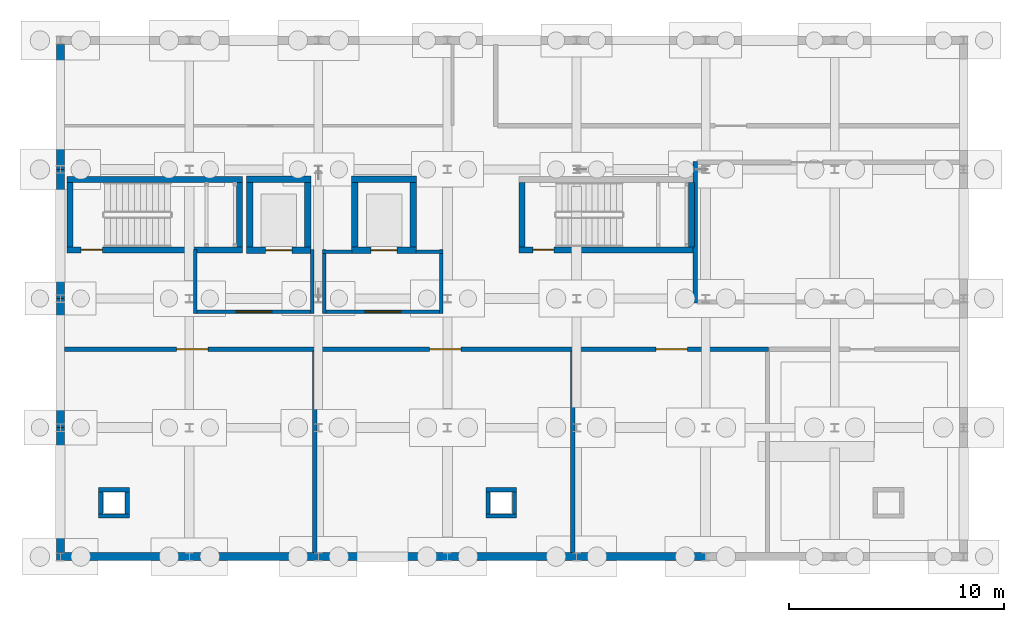
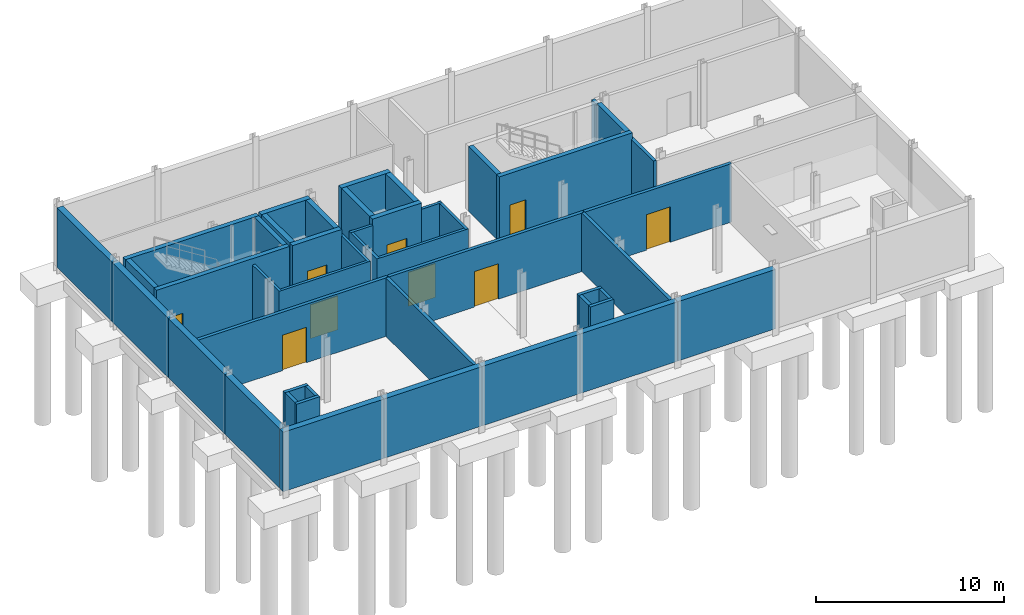
# One storey, part 9 of 12: 46 walls, 9 doors, 9 openings.
"""IFC4 building model written with IfcOpenShell, lengths in metres."""

from ifc_helpers import new_model, si_unit, direction, frame, frame_2d, origin, place, context, subcontext, project, spatial, rectangle, extrude, material, layer, layer_set, type_object, element, fill, save


model = new_model("IFC4")

# Units and contexts
model_context = context("Model", 3, precision=1e-05, world=origin(), true_north=direction((0.0, 1.0)))
body_context = subcontext(model_context, "Body", "Model", "MODEL_VIEW")
ifc_project = project(units=[si_unit("LENGTHUNIT", "METRE"), si_unit("AREAUNIT", "SQUARE_METRE"), si_unit("VOLUMEUNIT", "CUBIC_METRE"), si_unit("PLANEANGLEUNIT", "RADIAN"), si_unit("MASSUNIT", "GRAM", prefix="KILO")], contexts=[model_context])

# Site, building, storey
site_placement = place(None, origin())
site = spatial("IfcSite", under=ifc_project, at=site_placement, CompositionType="ELEMENT")
building_placement = place(site_placement, origin())
building = spatial("IfcBuilding", under=site, at=building_placement, Name="Siltcreek Boulevard Central Fire Station", CompositionType="ELEMENT")
storey_placement = place(building_placement, frame((0.0, 0.0, -4.199951171875)))
storey = spatial("IfcBuildingStorey", under=building, at=storey_placement, Name="B01", CompositionType="ELEMENT", Elevation=-4.199951171875)

# Wall, opening, door
ifc_material_1 = material(Name="Concrete C40/50", Category="concrete")
ifc_layer_1 = layer(ifc_material_1, 0.280029296875, Name="Concrete C40/50")
ifc_layer_set_1 = layer_set([ifc_layer_1], Name="Concrete C40/50")
wall_type_1 = type_object("IfcWallType", Name="CW_SHEAR280", PredefinedType="SHEAR", material=ifc_layer_set_1)
wall_1_placement = place(storey_placement, frame((124.52001953125, 102.4599609375, 0.0), z_axis=(0.0, 0.0, 1.0), x_axis=(1.0, 0.0, 0.0)))
wall_1 = element("IfcWall", 1, at=wall_1_placement, inside=storey, type_object=wall_type_1, Name="B01 ST-V5A stair enclosure south shear wall", PredefinedType="SHEAR", context=body_context, shape_type="SweptSolid", body=[
    extrude(rectangle(XDim=8.159912109375, YDim=0.280029296875, at=frame_2d((4.080078125, 0.0))), origin(), (0.0, 0.0, 1.0), 4.199951171875),
])
opening_1_placement = place(wall_1_placement, frame((0.64990234375, 0.0, 0.0)))
opening_1 = element("IfcOpeningElement", 2, at=opening_1_placement, cuts=wall_1, Name="Opening SD-032", PredefinedType="OPENING", context=body_context, shape_type="SweptSolid", body=[
    extrude(rectangle(XDim=0.97998046875, YDim=2.14990234375, at=frame_2d((0.489990234375, 1.074951171875))), frame((0.0, 0.14990234375, 0.0), z_axis=(0.0, -1.0, 0.0), x_axis=(1.0, 0.0, 0.0)), (0.0, 0.0, 1.0), 0.300048828125),
])
ifc_material_2 = material(Name="Hollow metal 90-min enclosed stair door")
door_type_1 = type_object("IfcDoorType", Name="DR_ST_098X215", OperationType="NOTDEFINED", PredefinedType="DOOR", material=ifc_material_2)
door_1_placement = place(opening_1_placement, origin())
door_1 = element("IfcDoor", 3, at=door_1_placement, inside=storey, type_object=door_type_1, Name="B01 ST-V5A enclosed exit stair door SD-032", OperationType="SINGLE_SWING_LEFT", OverallHeight=2.14990234375, OverallWidth=0.97998046875, PredefinedType="DOOR", context=body_context, shape_type="SweptSolid", body=[
    extrude(rectangle(XDim=0.97998046875, YDim=2.14990234375, at=frame_2d((0.489990234375, 1.074951171875))), frame((0.0, 0.02490234375, 0.0), z_axis=(0.0, -1.0, 0.0), x_axis=(1.0, 0.0, 0.0)), (0.0, 0.0, 1.0), 0.050048828125),
])
fill(opening_1, door_1)

# Walls
wall_2_placement = place(storey_placement, frame((132.679931640625, 105.739990234375, 0.0), z_axis=(0.0, 0.0, 1.0), x_axis=(-1.0, 0.0, 0.0)))
element("IfcWall", 4, at=wall_2_placement, inside=storey, type_object=wall_type_1, Name="B01 ST-V5A stair enclosure north shear wall", PredefinedType="SHEAR", context=body_context, shape_type="SweptSolid", body=[
    extrude(rectangle(XDim=8.159912109375, YDim=0.280029296875, at=frame_2d((4.080078125, 0.0))), origin(), (0.0, 0.0, 1.0), 4.199951171875),
])
for number, where, z_axis, x_axis, name in (
    (5, (124.659912109375, 105.60009765625, 0.0), (0.0, 0.0, 1.0), (0.0, -1.0, 0.0), "B01 ST-V5A stair enclosure west shear wall"),
    (6, (132.5400390625, 102.60009765625, 0.0), (0.0, 0.0, 1.0), (0.0, 1.0, 0.0), "B01 ST-V5A stair enclosure east shear wall"),
):
    element("IfcWall", number, at=place(storey_placement, frame(where, z_axis=z_axis, x_axis=x_axis)), inside=storey, type_object=wall_type_1, Name=name, PredefinedType="SHEAR", context=body_context, shape_type="SweptSolid", body=[
        extrude(rectangle(XDim=3.0, YDim=0.280029296875, at=frame_2d((1.5, 0.0))), origin(), (0.0, 0.0, 1.0), 4.199951171875),
    ])

# Wall, opening, door
wall_3_placement = place(storey_placement, frame((145.52001953125, 102.4599609375, 0.0), z_axis=(0.0, 0.0, 1.0), x_axis=(1.0, 0.0, 0.0)))
wall_3 = element("IfcWall", 7, at=wall_3_placement, inside=storey, type_object=wall_type_1, Name="B01 ST-V5B stair enclosure south shear wall", PredefinedType="SHEAR", context=body_context, shape_type="SweptSolid", body=[
    extrude(rectangle(XDim=8.159912109375, YDim=0.280029296875, at=frame_2d((4.080078125, 0.0))), origin(), (0.0, 0.0, 1.0), 4.199951171875),
])
opening_2_placement = place(wall_3_placement, frame((0.64990234375, 0.0, 0.0)))
opening_2 = element("IfcOpeningElement", 8, at=opening_2_placement, cuts=wall_3, Name="Opening SD-038", PredefinedType="OPENING", context=body_context, shape_type="SweptSolid", body=[
    extrude(rectangle(XDim=0.97998046875, YDim=2.14990234375, at=frame_2d((0.489990234375, 1.074951171875))), frame((0.0, 0.14990234375, 0.0), z_axis=(0.0, -1.0, 0.0), x_axis=(1.0, 0.0, 0.0)), (0.0, 0.0, 1.0), 0.300048828125),
])
door_2_placement = place(opening_2_placement, origin())
door_2 = element("IfcDoor", 9, at=door_2_placement, inside=storey, type_object=door_type_1, Name="B01 ST-V5B enclosed exit stair door SD-038", OperationType="SINGLE_SWING_LEFT", OverallHeight=2.14990234375, OverallWidth=0.97998046875, PredefinedType="DOOR", context=body_context, shape_type="SweptSolid", body=[
    extrude(rectangle(XDim=0.97998046875, YDim=2.14990234375, at=frame_2d((0.489990234375, 1.074951171875))), frame((0.0, 0.02490234375, 0.0), z_axis=(0.0, -1.0, 0.0), x_axis=(1.0, 0.0, 0.0)), (0.0, 0.0, 1.0), 0.050048828125),
])
fill(opening_2, door_2)

# Walls
for number, where, z_axis, x_axis, name in (
    (10, (145.659912109375, 105.60009765625, 0.0), (0.0, 0.0, 1.0), (0.0, -1.0, 0.0), "B01 ST-V5B stair enclosure west shear wall"),
    (11, (153.5400390625, 102.60009765625, 0.0), (0.0, 0.0, 1.0), (0.0, 1.0, 0.0), "B01 ST-V5B stair enclosure east shear wall"),
):
    element("IfcWall", number, at=place(storey_placement, frame(where, z_axis=z_axis, x_axis=x_axis)), inside=storey, type_object=wall_type_1, Name=name, PredefinedType="SHEAR", context=body_context, shape_type="SweptSolid", body=[
        extrude(rectangle(XDim=3.0, YDim=0.280029296875, at=frame_2d((1.5, 0.0))), origin(), (0.0, 0.0, 1.0), 4.199951171875),
    ])

# Wall, opening, door
ifc_layer_2 = layer(ifc_material_1, 0.304931640625, Name="Concrete C40/50")
ifc_layer_set_2 = layer_set([ifc_layer_2], Name="Concrete C40/50")
wall_type_2 = type_object("IfcWallType", Name="CW_SHEAR305", PredefinedType="SHEAR", material=ifc_layer_set_2)
wall_4_placement = place(storey_placement, frame((132.844970703125, 102.447509765625, 0.0), z_axis=(0.0, 0.0, 1.0), x_axis=(1.0, 0.0, 0.0)))
wall_4 = element("IfcWall", 12, at=wall_4_placement, inside=storey, type_object=wall_type_2, Name="B01 EL-01 elevator shaft south shear wall", PredefinedType="SHEAR", context=body_context, shape_type="SweptSolid", body=[
    extrude(rectangle(XDim=3.010009765625, YDim=0.304931640625, at=frame_2d((1.5048828125, 0.0))), origin(), (0.0, 0.0, 1.0), 4.199951171875),
])
opening_3_placement = place(wall_4_placement, frame((0.89501953125, 0.0, 0.0)))
opening_3 = element("IfcOpeningElement", 13, at=opening_3_placement, cuts=wall_4, Name="Opening LD02", PredefinedType="OPENING", context=body_context, shape_type="SweptSolid", body=[
    extrude(rectangle(XDim=1.219970703125, YDim=2.219970703125, at=frame_2d((0.60986328125, 1.10986328125))), frame((0.0, 0.162353515625, 0.0), z_axis=(0.0, -1.0, 0.0), x_axis=(1.0, 0.0, 0.0)), (0.0, 0.0, 1.0), 0.324951171875),
])
ifc_material_3 = material(Name="Stainless steel firefighting sliding elevator landing door", Category="steel")
door_type_2 = type_object("IfcDoorType", Name="DR_LD_122X222", OperationType="NOTDEFINED", PredefinedType="DOOR", material=ifc_material_3)
door_3_placement = place(opening_3_placement, origin())
door_3 = element("IfcDoor", 14, at=door_3_placement, inside=storey, type_object=door_type_2, Name="B01 EL-01 elevator sliding landing door LD-01", OperationType="SLIDING_TO_LEFT", OverallHeight=2.219970703125, OverallWidth=1.219970703125, PredefinedType="DOOR", context=body_context, shape_type="SweptSolid", body=[
    extrude(rectangle(XDim=1.219970703125, YDim=2.219970703125, at=frame_2d((0.60986328125, 1.10986328125))), frame((0.0, 0.02490234375, 0.0), z_axis=(0.0, -1.0, 0.0), x_axis=(1.0, 0.0, 0.0)), (0.0, 0.0, 1.0), 0.050048828125),
])
fill(opening_3, door_3)

# Walls
wall_5_placement = place(storey_placement, frame((135.85498046875, 105.75244140625, 0.0), z_axis=(0.0, 0.0, 1.0), x_axis=(-1.0, 0.0, 0.0)))
element("IfcWall", 15, at=wall_5_placement, inside=storey, type_object=wall_type_2, Name="B01 EL-01 elevator shaft north shear wall", PredefinedType="SHEAR", context=body_context, shape_type="SweptSolid", body=[
    extrude(rectangle(XDim=3.010009765625, YDim=0.304931640625, at=frame_2d((1.5048828125, 0.0))), origin(), (0.0, 0.0, 1.0), 4.199951171875),
])
for number, where, z_axis, x_axis, name in (
    (16, (132.99755859375, 105.60009765625, 0.0), (0.0, 0.0, 1.0), (0.0, -1.0, 0.0), "B01 EL-01 elevator shaft west shear wall"),
    (17, (135.702392578125, 102.60009765625, 0.0), (0.0, 0.0, 1.0), (0.0, 1.0, 0.0), "B01 EL-01 elevator shaft east shear wall"),
):
    element("IfcWall", number, at=place(storey_placement, frame(where, z_axis=z_axis, x_axis=x_axis)), inside=storey, type_object=wall_type_2, Name=name, PredefinedType="SHEAR", context=body_context, shape_type="SweptSolid", body=[
        extrude(rectangle(XDim=3.0, YDim=0.304931640625, at=frame_2d((1.5, 0.0))), origin(), (0.0, 0.0, 1.0), 4.199951171875),
    ])

# Wall, opening, door
wall_6_placement = place(storey_placement, frame((137.7451171875, 102.447509765625, 0.0), z_axis=(0.0, 0.0, 1.0), x_axis=(1.0, 0.0, 0.0)))
wall_6 = element("IfcWall", 18, at=wall_6_placement, inside=storey, type_object=wall_type_2, Name="B01 EL-02 elevator shaft south shear wall", PredefinedType="SHEAR", context=body_context, shape_type="SweptSolid", body=[
    extrude(rectangle(XDim=3.009765625, YDim=0.304931640625, at=frame_2d((1.5048828125, 0.0))), origin(), (0.0, 0.0, 1.0), 4.199951171875),
])
opening_4_placement = place(wall_6_placement, frame((0.89501953125, 0.0, 0.0)))
opening_4 = element("IfcOpeningElement", 19, at=opening_4_placement, cuts=wall_6, Name="Opening LD02", PredefinedType="OPENING", context=body_context, shape_type="SweptSolid", body=[
    extrude(rectangle(XDim=1.219970703125, YDim=2.219970703125, at=frame_2d((0.60986328125, 1.10986328125))), frame((0.0, 0.162353515625, 0.0), z_axis=(0.0, -1.0, 0.0), x_axis=(1.0, 0.0, 0.0)), (0.0, 0.0, 1.0), 0.324951171875),
])
door_4_placement = place(opening_4_placement, origin())
door_4 = element("IfcDoor", 20, at=door_4_placement, inside=storey, type_object=door_type_2, Name="B01 EL-02 elevator sliding landing door LD-07", OperationType="SLIDING_TO_LEFT", OverallHeight=2.219970703125, OverallWidth=1.219970703125, PredefinedType="DOOR", context=body_context, shape_type="SweptSolid", body=[
    extrude(rectangle(XDim=1.219970703125, YDim=2.219970703125, at=frame_2d((0.60986328125, 1.10986328125))), frame((0.0, 0.02490234375, 0.0), z_axis=(0.0, -1.0, 0.0), x_axis=(1.0, 0.0, 0.0)), (0.0, 0.0, 1.0), 0.050048828125),
])
fill(opening_4, door_4)

# Walls
wall_7_placement = place(storey_placement, frame((140.7548828125, 105.75244140625, 0.0), z_axis=(0.0, 0.0, 1.0), x_axis=(-1.0, 0.0, 0.0)))
element("IfcWall", 21, at=wall_7_placement, inside=storey, type_object=wall_type_2, Name="B01 EL-02 elevator shaft north shear wall", PredefinedType="SHEAR", context=body_context, shape_type="SweptSolid", body=[
    extrude(rectangle(XDim=3.009765625, YDim=0.304931640625, at=frame_2d((1.5048828125, 0.0))), origin(), (0.0, 0.0, 1.0), 4.199951171875),
])
for number, where, z_axis, x_axis, name in (
    (22, (137.8974609375, 105.60009765625, 0.0), (0.0, 0.0, 1.0), (0.0, -1.0, 0.0), "B01 EL-02 elevator shaft west shear wall"),
    (23, (140.6025390625, 102.60009765625, 0.0), (0.0, 0.0, 1.0), (0.0, 1.0, 0.0), "B01 EL-02 elevator shaft east shear wall"),
):
    element("IfcWall", number, at=place(storey_placement, frame(where, z_axis=z_axis, x_axis=x_axis)), inside=storey, type_object=wall_type_2, Name=name, PredefinedType="SHEAR", context=body_context, shape_type="SweptSolid", body=[
        extrude(rectangle(XDim=3.0, YDim=0.304931640625, at=frame_2d((1.5, 0.0))), origin(), (0.0, 0.0, 1.0), 4.199951171875),
    ])
ifc_material_4 = material(Name="Concrete C35/45", Category="concrete")
ifc_layer_3 = layer(ifc_material_4, 0.364990234375, Name="Concrete C35/45")
ifc_layer_set_3 = layer_set([ifc_layer_3], Name="Concrete C35/45")
wall_type_3 = type_object("IfcWallType", Name="EW_BSM365", PredefinedType="SHEAR", material=ifc_layer_set_3)
wall_8_placement = place(storey_placement, frame((124.017578125, 88.199951171875, 0.0), z_axis=(0.0, 0.0, 1.0), x_axis=(1.0, 0.0, 0.0)))
element("IfcWall", 24, at=wall_8_placement, inside=storey, type_object=wall_type_3, Name="Basement perimeter concrete wall BW-0271", PredefinedType="SHEAR", context=body_context, shape_type="SweptSolid", body=[
    extrude(rectangle(XDim=6.181396484375, YDim=0.364990234375, at=frame_2d((3.0908203125, 0.0))), origin(), (0.0, 0.0, 1.0), 3.849853515625),
])
for number, where, z_axis, x_axis, name in (
    (25, (130.200927734375, 88.199951171875, 0.0), (0.0, 0.0, 1.0), (1.0, 0.0, 0.0), "Basement perimeter concrete wall BW-0272"),
    (26, (136.200927734375, 88.199951171875, 0.0), (0.0, 0.0, 1.0), (1.0, 0.0, 0.0), "Basement perimeter concrete wall BW-0273"),
    (27, (142.200927734375, 88.199951171875, 0.0), (0.0, 0.0, 1.0), (1.0, 0.0, 0.0), "Basement perimeter concrete wall BW-0274"),
    (28, (148.200927734375, 88.199951171875, 0.0), (0.0, 0.0, 1.0), (1.0, 0.0, 0.0), "Basement perimeter concrete wall BW-0275"),
):
    element("IfcWall", number, at=place(storey_placement, frame(where, z_axis=z_axis, x_axis=x_axis)), inside=storey, type_object=wall_type_3, Name=name, PredefinedType="SHEAR", context=body_context, shape_type="SweptSolid", body=[
        extrude(rectangle(XDim=5.998046875, YDim=0.364990234375, at=frame_2d((2.9990234375, 0.0))), origin(), (0.0, 0.0, 1.0), 3.849853515625),
    ])
wall_9_placement = place(storey_placement, frame((124.199951171875, 94.198974609375, 0.0), z_axis=(0.0, 0.0, 1.0), x_axis=(0.0, -1.0, 0.0)))
element("IfcWall", 29, at=wall_9_placement, inside=storey, type_object=wall_type_3, Name="Basement perimeter concrete wall BW-0285", PredefinedType="SHEAR", context=body_context, shape_type="SweptSolid", body=[
    extrude(rectangle(XDim=5.814453125, YDim=0.364990234375, at=frame_2d((2.9072265625, 0.0))), origin(), (0.0, 0.0, 1.0), 3.849853515625),
])
for number, where, z_axis, x_axis, name in (
    (30, (124.199951171875, 100.198974609375, 0.0), (0.0, 0.0, 1.0), (0.0, -1.0, 0.0), "Basement perimeter concrete wall BW-0286"),
    (31, (124.199951171875, 106.198974609375, 0.0), (0.0, 0.0, 1.0), (0.0, -1.0, 0.0), "Basement perimeter concrete wall BW-0287"),
):
    element("IfcWall", number, at=place(storey_placement, frame(where, z_axis=z_axis, x_axis=x_axis)), inside=storey, type_object=wall_type_3, Name=name, PredefinedType="SHEAR", context=body_context, shape_type="SweptSolid", body=[
        extrude(rectangle(XDim=5.998046875, YDim=0.364990234375, at=frame_2d((2.9990234375, 0.0))), origin(), (0.0, 0.0, 1.0), 3.849853515625),
    ])
wall_10_placement = place(storey_placement, frame((124.199951171875, 112.015380859375, 0.0), z_axis=(0.0, 0.0, 1.0), x_axis=(0.0, -1.0, 0.0)))
element("IfcWall", 32, at=wall_10_placement, inside=storey, type_object=wall_type_3, Name="Basement perimeter concrete wall BW-0288", PredefinedType="SHEAR", context=body_context, shape_type="SweptSolid", body=[
    extrude(rectangle(XDim=5.814453125, YDim=0.364990234375, at=frame_2d((2.9072265625, 0.0))), origin(), (0.0, 0.0, 1.0), 3.849853515625),
])
ifc_material_5 = material(Name="Fire-rated concrete masonry and gypsum barrier", Category="masonry")
ifc_layer_4 = layer(ifc_material_5, 0.199951171875, Name="Fire-rated concrete masonry and gypsum barrier")
ifc_layer_set_4 = layer_set([ifc_layer_4], Name="Fire-rated concrete masonry and gypsum barrier")
wall_type_4 = type_object("IfcWallType", Name="IW_FIRE200", PredefinedType="PARTITIONING", material=ifc_layer_set_4)
wall_11_placement = place(storey_placement, frame((125.985107421875, 90.0849609375, 0.0), z_axis=(0.0, 0.0, 1.0), x_axis=(1.0, 0.0, 0.0)))
element("IfcWall", 33, at=wall_11_placement, inside=storey, type_object=wall_type_4, Name="B01 enclosed MEP service riser wall 001-S", PredefinedType="PARTITIONING", context=body_context, shape_type="SweptSolid", body=[
    extrude(rectangle(XDim=1.429931640625, YDim=0.199951171875, at=frame_2d((0.71484375, 0.0))), origin(), (0.0, 0.0, 1.0), 3.7900390625),
])
wall_12_placement = place(storey_placement, frame((127.31494140625, 90.18505859375, 0.0), z_axis=(0.0, 0.0, 1.0), x_axis=(0.0, 1.0, 0.0)))
element("IfcWall", 34, at=wall_12_placement, inside=storey, type_object=wall_type_4, Name="B01 enclosed MEP service riser wall 001-E", PredefinedType="PARTITIONING", context=body_context, shape_type="SweptSolid", body=[
    extrude(rectangle(XDim=1.030029296875, YDim=0.199951171875, at=frame_2d((0.51513671875, 0.0))), origin(), (0.0, 0.0, 1.0), 3.7900390625),
])
wall_13_placement = place(storey_placement, frame((127.4150390625, 91.31494140625, 0.0), z_axis=(0.0, 0.0, 1.0), x_axis=(-1.0, 0.0, 0.0)))
element("IfcWall", 35, at=wall_13_placement, inside=storey, type_object=wall_type_4, Name="B01 enclosed MEP service riser wall 001-N", PredefinedType="PARTITIONING", context=body_context, shape_type="SweptSolid", body=[
    extrude(rectangle(XDim=1.429931640625, YDim=0.199951171875, at=frame_2d((0.71484375, 0.0))), origin(), (0.0, 0.0, 1.0), 3.7900390625),
])
wall_14_placement = place(storey_placement, frame((126.0849609375, 91.215087890625, 0.0), z_axis=(0.0, 0.0, 1.0), x_axis=(0.0, -1.0, 0.0)))
element("IfcWall", 36, at=wall_14_placement, inside=storey, type_object=wall_type_4, Name="B01 enclosed MEP service riser wall 001-W", PredefinedType="PARTITIONING", context=body_context, shape_type="SweptSolid", body=[
    extrude(rectangle(XDim=1.030029296875, YDim=0.199951171875, at=frame_2d((0.51513671875, 0.0))), origin(), (0.0, 0.0, 1.0), 3.7900390625),
])
wall_15_placement = place(storey_placement, frame((143.985107421875, 90.0849609375, 0.0), z_axis=(0.0, 0.0, 1.0), x_axis=(1.0, 0.0, 0.0)))
element("IfcWall", 37, at=wall_15_placement, inside=storey, type_object=wall_type_4, Name="B01 enclosed MEP service riser wall 002-S", PredefinedType="PARTITIONING", context=body_context, shape_type="SweptSolid", body=[
    extrude(rectangle(XDim=1.429931640625, YDim=0.199951171875, at=frame_2d((0.71484375, 0.0))), origin(), (0.0, 0.0, 1.0), 3.7900390625),
])
wall_16_placement = place(storey_placement, frame((145.31494140625, 90.18505859375, 0.0), z_axis=(0.0, 0.0, 1.0), x_axis=(0.0, 1.0, 0.0)))
element("IfcWall", 38, at=wall_16_placement, inside=storey, type_object=wall_type_4, Name="B01 enclosed MEP service riser wall 002-E", PredefinedType="PARTITIONING", context=body_context, shape_type="SweptSolid", body=[
    extrude(rectangle(XDim=1.030029296875, YDim=0.199951171875, at=frame_2d((0.51513671875, 0.0))), origin(), (0.0, 0.0, 1.0), 3.7900390625),
])
wall_17_placement = place(storey_placement, frame((145.4150390625, 91.31494140625, 0.0), z_axis=(0.0, 0.0, 1.0), x_axis=(-1.0, 0.0, 0.0)))
element("IfcWall", 39, at=wall_17_placement, inside=storey, type_object=wall_type_4, Name="B01 enclosed MEP service riser wall 002-N", PredefinedType="PARTITIONING", context=body_context, shape_type="SweptSolid", body=[
    extrude(rectangle(XDim=1.429931640625, YDim=0.199951171875, at=frame_2d((0.71484375, 0.0))), origin(), (0.0, 0.0, 1.0), 3.7900390625),
])
wall_18_placement = place(storey_placement, frame((144.0849609375, 91.215087890625, 0.0), z_axis=(0.0, 0.0, 1.0), x_axis=(0.0, -1.0, 0.0)))
element("IfcWall", 40, at=wall_18_placement, inside=storey, type_object=wall_type_4, Name="B01 enclosed MEP service riser wall 002-W", PredefinedType="PARTITIONING", context=body_context, shape_type="SweptSolid", body=[
    extrude(rectangle(XDim=1.030029296875, YDim=0.199951171875, at=frame_2d((0.51513671875, 0.0))), origin(), (0.0, 0.0, 1.0), 3.7900390625),
])

# Wall, opening, door
wall_19_placement = place(storey_placement, frame((124.382568359375, 97.840087890625, 0.0), z_axis=(0.0, 0.0, 1.0), x_axis=(1.0, 0.0, 0.0)))
wall_19 = element("IfcWall", 41, at=wall_19_placement, inside=storey, type_object=wall_type_4, Name="B01 Emergency Power Plant Room partition 0001", PredefinedType="PARTITIONING", context=body_context, shape_type="SweptSolid", body=[
    extrude(rectangle(XDim=11.6875, YDim=0.199951171875, at=frame_2d((5.84375, 0.0))), origin(), (0.0, 0.0, 1.0), 3.7900390625),
])
opening_5_placement = place(wall_19_placement, frame((5.223876953125, 0.0, 0.0)))
opening_5 = element("IfcOpeningElement", 42, at=opening_5_placement, cuts=wall_19, Name="Opening ID11", PredefinedType="OPENING", context=body_context, shape_type="SweptSolid", body=[
    extrude(rectangle(XDim=1.4599609375, YDim=2.300048828125, at=frame_2d((0.72998046875, 1.14990234375))), frame((0.0, 0.10986328125, 0.0), z_axis=(0.0, -1.0, 0.0), x_axis=(1.0, 0.0, 0.0)), (0.0, 0.0, 1.0), 0.219970703125),
])
ifc_material_6 = material(Name="Hollow metal mechanical plant double-wide door")
door_type_3 = type_object("IfcDoorType", Name="DR_PLT_146X230", OperationType="NOTDEFINED", PredefinedType="DOOR", material=ifc_material_6)
door_5_placement = place(opening_5_placement, frame((1.4599609375, 0.0, 0.0), z_axis=(0.0, 0.0, 1.0), x_axis=(-1.0, 0.0, 0.0)))
door_5 = element("IfcDoor", 43, at=door_5_placement, inside=storey, type_object=door_type_3, Name="B01 Emergency Power Plant Room door ID-0001", OperationType="SINGLE_SWING_RIGHT", OverallHeight=2.300048828125, OverallWidth=1.4599609375, PredefinedType="DOOR", context=body_context, shape_type="SweptSolid", body=[
    extrude(rectangle(XDim=1.4599609375, YDim=2.300048828125, at=frame_2d((0.72998046875, 1.14990234375))), frame((0.0, 0.02490234375, 0.0), z_axis=(0.0, -1.0, 0.0), x_axis=(1.0, 0.0, 0.0)), (0.0, 0.0, 1.0), 0.050048828125),
])
fill(opening_5, door_5)

# Wall
wall_20_placement = place(storey_placement, frame((136.030029296875, 97.760009765625, 0.0), z_axis=(0.0, 0.0, 1.0), x_axis=(0.0, -1.0, 0.0)))
element("IfcWall", 44, at=wall_20_placement, inside=storey, type_object=wall_type_4, Name="B01 Emergency Power Plant Room partition 0002", PredefinedType="PARTITIONING", context=body_context, shape_type="SweptSolid", body=[
    extrude(rectangle(XDim=9.37744140625, YDim=0.199951171875, at=frame_2d((4.688720703125, 0.0))), origin(), (0.0, 0.0, 1.0), 3.7900390625),
])

# Wall, opening, door
wall_21_placement = place(storey_placement, frame((136.1298828125, 97.840087890625, 0.0), z_axis=(0.0, 0.0, 1.0), x_axis=(1.0, 0.0, 0.0)))
wall_21 = element("IfcWall", 45, at=wall_21_placement, inside=storey, type_object=wall_type_4, Name="B01 All-Electric Heat Pump Plant Room partition 0003", PredefinedType="PARTITIONING", context=body_context, shape_type="SweptSolid", body=[
    extrude(rectangle(XDim=11.940185546875, YDim=0.199951171875, at=frame_2d((5.97021484375, 0.0))), origin(), (0.0, 0.0, 1.0), 3.7900390625),
])
opening_6_placement = place(wall_21_placement, frame((5.239990234375, 0.0, 0.0)))
opening_6 = element("IfcOpeningElement", 46, at=opening_6_placement, cuts=wall_21, Name="Opening ID11", PredefinedType="OPENING", context=body_context, shape_type="SweptSolid", body=[
    extrude(rectangle(XDim=1.4599609375, YDim=2.300048828125, at=frame_2d((0.72998046875, 1.14990234375))), frame((0.0, 0.10986328125, 0.0), z_axis=(0.0, -1.0, 0.0), x_axis=(1.0, 0.0, 0.0)), (0.0, 0.0, 1.0), 0.219970703125),
])
door_6_placement = place(opening_6_placement, frame((1.4599609375, 0.0, 0.0), z_axis=(0.0, 0.0, 1.0), x_axis=(-1.0, 0.0, 0.0)))
door_6 = element("IfcDoor", 47, at=door_6_placement, inside=storey, type_object=door_type_3, Name="B01 All-Electric Heat Pump Plant Room door ID-0002", OperationType="SINGLE_SWING_LEFT", OverallHeight=2.300048828125, OverallWidth=1.4599609375, PredefinedType="DOOR", context=body_context, shape_type="SweptSolid", body=[
    extrude(rectangle(XDim=1.4599609375, YDim=2.300048828125, at=frame_2d((0.72998046875, 1.14990234375))), frame((0.0, 0.02490234375, 0.0), z_axis=(0.0, -1.0, 0.0), x_axis=(1.0, 0.0, 0.0)), (0.0, 0.0, 1.0), 0.050048828125),
])
fill(opening_6, door_6)

# Wall
wall_22_placement = place(storey_placement, frame((148.030029296875, 97.760009765625, 0.0), z_axis=(0.0, 0.0, 1.0), x_axis=(0.0, -1.0, 0.0)))
element("IfcWall", 48, at=wall_22_placement, inside=storey, type_object=wall_type_4, Name="B01 All-Electric Heat Pump Plant Room partition 0004", PredefinedType="PARTITIONING", context=body_context, shape_type="SweptSolid", body=[
    extrude(rectangle(XDim=9.37744140625, YDim=0.199951171875, at=frame_2d((4.688720703125, 0.0))), origin(), (0.0, 0.0, 1.0), 3.7900390625),
])

# Wall, opening, door
wall_23_placement = place(storey_placement, frame((148.1298828125, 97.840087890625, 0.0), z_axis=(0.0, 0.0, 1.0), x_axis=(1.0, 0.0, 0.0)))
wall_23 = element("IfcWall", 49, at=wall_23_placement, inside=storey, type_object=wall_type_4, Name="B01 Firewater Cistern Tank Room partition 0005", PredefinedType="PARTITIONING", context=body_context, shape_type="SweptSolid", body=[
    extrude(rectangle(XDim=8.990234375, YDim=0.199951171875, at=frame_2d((4.4951171875, 0.0))), origin(), (0.0, 0.0, 1.0), 3.7900390625),
])
opening_7_placement = place(wall_23_placement, frame((3.764892578125, 0.0, 0.0)))
opening_7 = element("IfcOpeningElement", 50, at=opening_7_placement, cuts=wall_23, Name="Opening ID11", PredefinedType="OPENING", context=body_context, shape_type="SweptSolid", body=[
    extrude(rectangle(XDim=1.4599609375, YDim=2.300048828125, at=frame_2d((0.72998046875, 1.14990234375))), frame((0.0, 0.10986328125, 0.0), z_axis=(0.0, -1.0, 0.0), x_axis=(1.0, 0.0, 0.0)), (0.0, 0.0, 1.0), 0.219970703125),
])
door_7_placement = place(opening_7_placement, frame((1.4599609375, 0.0, 0.0), z_axis=(0.0, 0.0, 1.0), x_axis=(-1.0, 0.0, 0.0)))
door_7 = element("IfcDoor", 51, at=door_7_placement, inside=storey, type_object=door_type_3, Name="B01 Firewater Cistern Tank Room door ID-0003", OperationType="SINGLE_SWING_RIGHT", OverallHeight=2.300048828125, OverallWidth=1.4599609375, PredefinedType="DOOR", context=body_context, shape_type="SweptSolid", body=[
    extrude(rectangle(XDim=1.4599609375, YDim=2.300048828125, at=frame_2d((0.72998046875, 1.14990234375))), frame((0.0, 0.02490234375, 0.0), z_axis=(0.0, -1.0, 0.0), x_axis=(1.0, 0.0, 0.0)), (0.0, 0.0, 1.0), 0.050048828125),
])
fill(opening_7, door_7)

# Walls
wall_24_placement = place(storey_placement, frame((153.719970703125, 100.0, 0.0), z_axis=(0.0, 0.0, 1.0), x_axis=(0.0, 1.0, 0.0)))
element("IfcWall", 52, at=wall_24_placement, inside=storey, type_object=wall_type_4, Name="B01 Domestic Booster Pump Room partition 0012", PredefinedType="PARTITIONING", context=body_context, shape_type="SweptSolid", body=[
    extrude(rectangle(XDim=6.570068359375, YDim=0.199951171875, at=frame_2d((3.28515625, 0.0))), origin(), (0.0, 0.0, 1.0), 3.7900390625),
])
ifc_material_7 = material(Name="Acoustic smoke-barrier steel stud gypsum wall", Category="steel")
ifc_layer_5 = layer(ifc_material_7, 0.1650390625, Name="Acoustic smoke-barrier steel stud gypsum wall")
ifc_layer_set_5 = layer_set([ifc_layer_5], Name="Acoustic smoke-barrier steel stud gypsum wall")
wall_type_5 = type_object("IfcWallType", Name="IW_SMK165", PredefinedType="PARTITIONING", material=ifc_layer_set_5)
for number, where, z_axis, x_axis, name in (
    (53, (130.47998046875, 99.5, 0.0), (0.0, 0.0, 1.0), (0.0, 1.0, 0.0), "B01 EL-01 elevator lobby W smoke partition"),
    (54, (135.919921875, 102.487548828125, 0.0), (0.0, 0.0, 1.0), (0.0, -1.0, 0.0), "B01 EL-01 elevator lobby E smoke partition"),
):
    element("IfcWall", number, at=place(storey_placement, frame(where, z_axis=z_axis, x_axis=x_axis)), inside=storey, type_object=wall_type_5, Name=name, PredefinedType="PARTITIONING", context=body_context, shape_type="SweptSolid", body=[
        extrude(rectangle(XDim=2.987548828125, YDim=0.1650390625, at=frame_2d((1.49365234375, 0.0))), origin(), (0.0, 0.0, 1.0), 3.7900390625),
    ])

# Wall, opening, door
wall_25_placement = place(storey_placement, frame((130.39990234375, 99.580078125, 0.0), z_axis=(0.0, 0.0, 1.0), x_axis=(1.0, 0.0, 0.0)))
wall_25 = element("IfcWall", 55, at=wall_25_placement, inside=storey, type_object=wall_type_5, Name="B01 EL-01 elevator lobby south smoke partition", PredefinedType="PARTITIONING", context=body_context, shape_type="SweptSolid", body=[
    extrude(rectangle(XDim=5.60009765625, YDim=0.1650390625, at=frame_2d((2.800048828125, 0.0))), origin(), (0.0, 0.0, 1.0), 3.7900390625),
])
opening_8_placement = place(wall_25_placement, frame((1.969970703125, 0.0, 0.0)))
opening_8 = element("IfcOpeningElement", 56, at=opening_8_placement, cuts=wall_25, Name="Opening FD02", PredefinedType="OPENING", context=body_context, shape_type="SweptSolid", body=[
    extrude(rectangle(XDim=1.659912109375, YDim=2.199951171875, at=frame_2d((0.830078125, 1.10009765625))), frame((0.0, 0.092529296875, 0.0), z_axis=(0.0, -1.0, 0.0), x_axis=(1.0, 0.0, 0.0)), (0.0, 0.0, 1.0), 0.18505859375),
])
ifc_material_8 = material(Name="Hollow metal smoke-barrier elevator lobby pair")
door_type_4 = type_object("IfcDoorType", Name="DR_LOB_166X220", OperationType="NOTDEFINED", PredefinedType="DOOR", material=ifc_material_8)
door_8_placement = place(opening_8_placement, frame((1.659912109375, 0.0, 0.0), z_axis=(0.0, 0.0, 1.0), x_axis=(-1.0, 0.0, 0.0)))
door_8 = element("IfcDoor", 57, at=door_8_placement, inside=storey, type_object=door_type_4, Name="B01 EL-01 elevator lobby smoke door", OperationType="DOUBLE_DOOR_SINGLE_SWING", OverallHeight=2.199951171875, OverallWidth=1.659912109375, PredefinedType="DOOR", context=body_context, shape_type="SweptSolid", body=[
    extrude(rectangle(XDim=1.659912109375, YDim=2.199951171875, at=frame_2d((0.830078125, 1.10009765625))), frame((0.0, 0.02490234375, 0.0), z_axis=(0.0, -1.0, 0.0), x_axis=(1.0, 0.0, 0.0)), (0.0, 0.0, 1.0), 0.050048828125),
])
fill(opening_8, door_8)

# Walls
for number, where, z_axis, x_axis, name in (
    (58, (136.47998046875, 99.5, 0.0), (0.0, 0.0, 1.0), (0.0, 1.0, 0.0), "B01 EL-02 elevator lobby W smoke partition"),
    (59, (141.919921875, 102.487548828125, 0.0), (0.0, 0.0, 1.0), (0.0, -1.0, 0.0), "B01 EL-02 elevator lobby E smoke partition"),
):
    element("IfcWall", number, at=place(storey_placement, frame(where, z_axis=z_axis, x_axis=x_axis)), inside=storey, type_object=wall_type_5, Name=name, PredefinedType="PARTITIONING", context=body_context, shape_type="SweptSolid", body=[
        extrude(rectangle(XDim=2.987548828125, YDim=0.1650390625, at=frame_2d((1.49365234375, 0.0))), origin(), (0.0, 0.0, 1.0), 3.7900390625),
    ])
wall_26_placement = place(storey_placement, frame((136.39990234375, 102.375, 0.0), z_axis=(0.0, 0.0, 1.0), x_axis=(1.0, 0.0, 0.0)))
element("IfcWall", 60, at=wall_26_placement, inside=storey, type_object=wall_type_5, Name="B01 EL-02 elevator lobby NW smoke partition", PredefinedType="PARTITIONING", context=body_context, shape_type="SweptSolid", body=[
    extrude(rectangle(XDim=1.364990234375, YDim=0.1650390625, at=frame_2d((0.6826171875, 0.0))), origin(), (0.0, 0.0, 1.0), 3.7900390625),
])
wall_27_placement = place(storey_placement, frame((140.735107421875, 102.375, 0.0), z_axis=(0.0, 0.0, 1.0), x_axis=(1.0, 0.0, 0.0)))
element("IfcWall", 61, at=wall_27_placement, inside=storey, type_object=wall_type_5, Name="B01 EL-02 elevator lobby NE smoke partition", PredefinedType="PARTITIONING", context=body_context, shape_type="SweptSolid", body=[
    extrude(rectangle(XDim=1.264892578125, YDim=0.1650390625, at=frame_2d((0.63232421875, 0.0))), origin(), (0.0, 0.0, 1.0), 3.7900390625),
])

# Wall, opening, door
wall_28_placement = place(storey_placement, frame((136.39990234375, 99.580078125, 0.0), z_axis=(0.0, 0.0, 1.0), x_axis=(1.0, 0.0, 0.0)))
wall_28 = element("IfcWall", 62, at=wall_28_placement, inside=storey, type_object=wall_type_5, Name="B01 EL-02 elevator lobby south smoke partition", PredefinedType="PARTITIONING", context=body_context, shape_type="SweptSolid", body=[
    extrude(rectangle(XDim=5.60009765625, YDim=0.1650390625, at=frame_2d((2.800048828125, 0.0))), origin(), (0.0, 0.0, 1.0), 3.7900390625),
])
opening_9_placement = place(wall_28_placement, frame((1.969970703125, 0.0, 0.0)))
opening_9 = element("IfcOpeningElement", 63, at=opening_9_placement, cuts=wall_28, Name="Opening FD02", PredefinedType="OPENING", context=body_context, shape_type="SweptSolid", body=[
    extrude(rectangle(XDim=1.659912109375, YDim=2.199951171875, at=frame_2d((0.830078125, 1.10009765625))), frame((0.0, 0.092529296875, 0.0), z_axis=(0.0, -1.0, 0.0), x_axis=(1.0, 0.0, 0.0)), (0.0, 0.0, 1.0), 0.18505859375),
])
door_9_placement = place(opening_9_placement, frame((1.659912109375, 0.0, 0.0), z_axis=(0.0, 0.0, 1.0), x_axis=(-1.0, 0.0, 0.0)))
door_9 = element("IfcDoor", 64, at=door_9_placement, inside=storey, type_object=door_type_4, Name="B01 EL-02 elevator lobby smoke door", OperationType="DOUBLE_DOOR_SINGLE_SWING", OverallHeight=2.199951171875, OverallWidth=1.659912109375, PredefinedType="DOOR", context=body_context, shape_type="SweptSolid", body=[
    extrude(rectangle(XDim=1.659912109375, YDim=2.199951171875, at=frame_2d((0.830078125, 1.10009765625))), frame((0.0, 0.02490234375, 0.0), z_axis=(0.0, -1.0, 0.0), x_axis=(1.0, 0.0, 0.0)), (0.0, 0.0, 1.0), 0.050048828125),
])
fill(opening_9, door_9)

save(model, "model.ifc")
